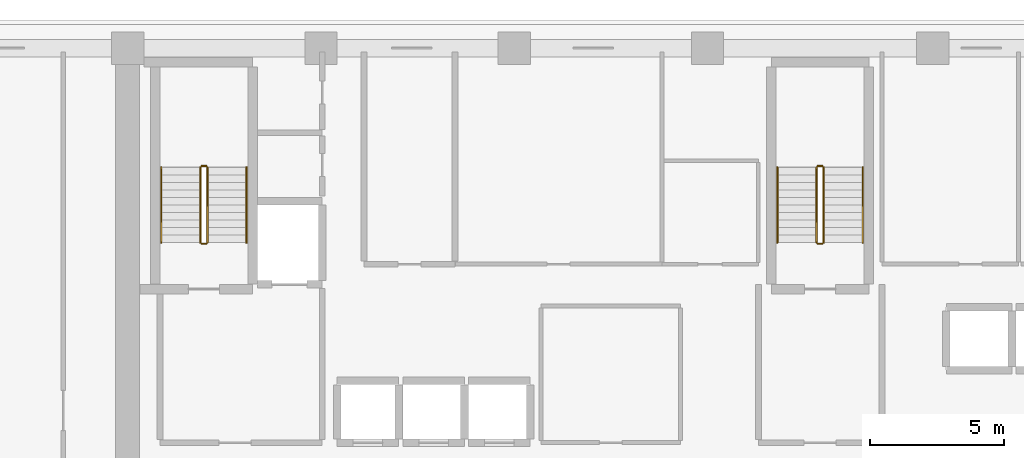
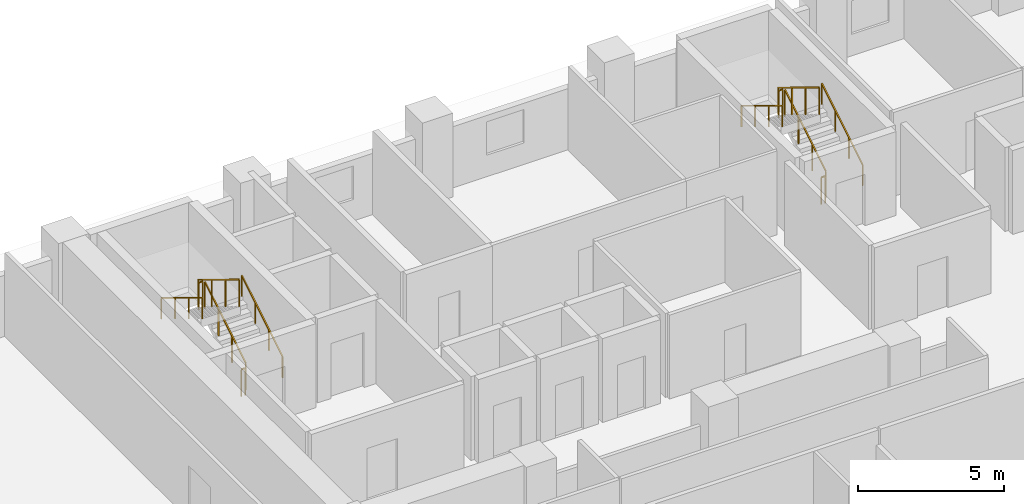
# One storey, part 12 of 14: 12 railings.
"""IFC4 building model written with IfcOpenShell, lengths in metres."""

import ifcopenshell
import ifcopenshell.guid

model = None  # the IFC model being written
_history = None  # IfcOwnerHistory: only IFC2X3 demands one
_inside = {}  # id of a spatial element -> (the spatial element, [elements in it])
_under = {}  # id of a project, library or spatial element -> (it, [spatial elements below it])
_declared = {}  # id of a project -> (the project, [libraries it declares])
_typed = {}  # id of a type object -> (the type object, [elements of that type])
_made_of = {}  # id of a material, layer set ... -> (it, [elements and type objects made of it])


def new_model(schema):
    """Start an empty IFC model of exactly this schema.

    Asked for "IFC4X3", IfcOpenShell would pick the latest addendum, in which some entities
    have other attributes; the version numbers below select the first issue.
    IFC2X3 requires an IfcOwnerHistory on every rooted entity: one is made here for all.
    """
    global model, _history
    if schema == "IFC4X3":
        model = ifcopenshell.file(schema_version=(4, 3, 0, 0))
    else:
        model = ifcopenshell.file(schema=schema)
    _inside.clear()
    _under.clear()
    _declared.clear()
    _typed.clear()
    _made_of.clear()
    _history = None
    if model.schema == "IFC2X3":
        org = make("IfcOrganization", Name="unknown")
        user = make(
            "IfcPersonAndOrganization",
            ThePerson=make("IfcPerson", FamilyName="unknown"),
            TheOrganization=org,
        )
        app = make(
            "IfcApplication",
            ApplicationDeveloper=org,
            Version="unknown",
            ApplicationFullName="unknown",
            ApplicationIdentifier="unknown",
        )
        _history = make(
            "IfcOwnerHistory",
            OwningUser=user,
            OwningApplication=app,
            ChangeAction="ADDED",
            CreationDate=0,
        )
    return model


def make(cls, **values):
    """One entity of the class cls with the attributes given. An attribute that is None is left unset."""
    return model.create_entity(
        cls, **{name: value for name, value in values.items() if value is not None}
    )


def rooted(cls, **values):
    """An entity with a GlobalId (a new one), such as an element, a storey or a relation."""
    return make(cls, GlobalId=ifcopenshell.guid.new(), OwnerHistory=_history, **values)


def si_unit(unit_type, name, prefix=None):
    """IfcSIUnit, for example si_unit("LENGTHUNIT", "METRE", prefix="MILLI")."""
    return make("IfcSIUnit", UnitType=unit_type, Prefix=prefix, Name=name)


def assignment(units):
    """IfcUnitAssignment: the units of a project."""
    return None if units is None else make("IfcUnitAssignment", Units=units)


def point(xyz):
    """IfcCartesianPoint."""
    return None if xyz is None else make("IfcCartesianPoint", Coordinates=xyz)


def direction(xyz):
    """IfcDirection."""
    return None if xyz is None else make("IfcDirection", DirectionRatios=xyz)


def frame(location, z_axis=None, x_axis=None):
    """IfcAxis2Placement3D, a coordinate frame: its origin and axes. An axis left out is left unset."""
    return make(
        "IfcAxis2Placement3D",
        Location=point(location),
        Axis=direction(z_axis),
        RefDirection=direction(x_axis),
    )


def frame_2d(location, x_axis=None):
    """IfcAxis2Placement2D, a coordinate frame in the plane: its origin and x axis."""
    return make(
        "IfcAxis2Placement2D", Location=point(location), RefDirection=direction(x_axis)
    )


def origin():
    """The frame at (0, 0, 0) with its axes left unset."""
    return frame((0.0, 0.0, 0.0))


def origin_2d():
    """The frame at (0, 0) in the plane with its x axis left unset."""
    return frame_2d((0.0, 0.0))


def place(relative_to, where):
    """IfcLocalPlacement: puts the frame where relative to a parent placement (None: the world)."""
    return make(
        "IfcLocalPlacement", PlacementRelTo=relative_to, RelativePlacement=where
    )


def context(
    kind, dimensions, precision=None, world=None, true_north=None, identifier=None
):
    """IfcGeometricRepresentationContext, for example the 3D "Model" context."""
    return make(
        "IfcGeometricRepresentationContext",
        ContextIdentifier=identifier,
        ContextType=kind,
        CoordinateSpaceDimension=dimensions,
        Precision=precision,
        WorldCoordinateSystem=world,
        TrueNorth=true_north,
    )


def subcontext(parent, identifier, kind, view, scale=None):
    """IfcGeometricRepresentationSubContext, for example "Body" below "Model"."""
    return make(
        "IfcGeometricRepresentationSubContext",
        ContextIdentifier=identifier,
        ContextType=kind,
        ParentContext=parent,
        TargetScale=scale,
        TargetView=view,
    )


def project(units=None, contexts=None):
    """IfcProject with its units and contexts."""
    return rooted(
        "IfcProject",
        Name="project",
        RepresentationContexts=contexts,
        UnitsInContext=assignment(units),
    )


def spatial(cls, under=None, at=None, **own):
    """A site, building, storey or space (cls), placed at a placement, below another one or the project."""
    s = rooted(cls, ObjectPlacement=at, **own)
    if under is not None:
        _under.setdefault(under.id(), (under, []))[1].append(s)
    return s


def profile(cls, at=None, kind="AREA", **sizes):
    """A parametric profile (cls). Its sizes go by their IFC names, for example OverallWidth=200.0."""
    return make(cls, ProfileType=kind, Position=at, **sizes)


def rectangle(**sizes):
    """IfcRectangleProfileDef."""
    return profile("IfcRectangleProfileDef", **sizes)


def extrude(swept, where, along, depth):
    """IfcExtrudedAreaSolid: the profile swept, set in the frame where, extruded along a direction by depth."""
    return make(
        "IfcExtrudedAreaSolid",
        SweptArea=swept,
        Position=where,
        ExtrudedDirection=direction(along),
        Depth=depth,
    )


def shape(context_of_items, identifier, shape_type, items):
    """IfcShapeRepresentation: the items that make up one representation, for example the "Body"."""
    return make(
        "IfcShapeRepresentation",
        ContextOfItems=context_of_items,
        RepresentationIdentifier=identifier,
        RepresentationType=shape_type,
        Items=items,
    )


def material(Name=None, Category=None):
    """IfcMaterial."""
    return make("IfcMaterial", Name=Name, Category=Category)


def made_of(thing, what):
    """Note that an element or type object is made of a material, layer set ...; save() writes the relation."""
    if what is not None:
        _made_of.setdefault(what.id(), (what, []))[1].append(thing)
    return thing


def type_object(cls, material=None, **own):
    """A type object (cls), such as IfcWallType, which elements share."""
    return made_of(rooted(cls, **own), material)


def element(
    cls,
    number,
    at=None,
    inside=None,
    cuts=None,
    type_object=None,
    material=None,
    context=None,
    identifier="Body",
    shape_type=None,
    held_by="IfcProductDefinitionShape",
    body=None,
    shapes=None,
    **own,
):
    """One element of the class cls, such as IfcWall. Its Tag is "e" and its number.

    at: its placement. inside: the storey or other place that contains it. cuts: it is an
    opening in that element (IfcRelVoidsElement). A single representation is given by context,
    identifier, shape_type and body (its items); several are given by shapes. held_by: the class
    of the entity that holds the representations. save() writes the other relations.
    """
    e = rooted(cls, Tag="e%d" % number, ObjectPlacement=at, **own)
    if body is not None:
        shapes = [shape(context, identifier, shape_type, body)]
    if shapes is not None:
        e.Representation = make(held_by, Representations=shapes)
    if inside is not None:
        _inside.setdefault(inside.id(), (inside, []))[1].append(e)
    if cuts is not None:
        rooted(
            "IfcRelVoidsElement", RelatingBuildingElement=cuts, RelatedOpeningElement=e
        )
    if type_object is not None:
        _typed.setdefault(type_object.id(), (type_object, []))[1].append(e)
    return made_of(e, material)


def aggregate(whole, parts):
    """IfcRelAggregates: a whole, such as a stair, and the parts it consists of."""
    return rooted("IfcRelAggregates", RelatingObject=whole, RelatedObjects=parts)


def save(model, path):
    """Write the relations noted so far, then the file.

    IfcRelAggregates (storeys below a building ...), IfcRelContainedInSpatialStructure (elements
    in a storey), IfcRelDefinesByType, IfcRelAssociatesMaterial and IfcRelDeclares: one each for
    every whole, place, type object, material and project.
    """
    for whole, parts in _under.values():
        aggregate(whole, parts)
    for where, things in _inside.values():
        rooted(
            "IfcRelContainedInSpatialStructure",
            RelatedElements=things,
            RelatingStructure=where,
        )
    for kind, things in _typed.values():
        rooted("IfcRelDefinesByType", RelatedObjects=things, RelatingType=kind)
    for what, things in _made_of.values():
        rooted("IfcRelAssociatesMaterial", RelatedObjects=things, RelatingMaterial=what)
    for by, libraries in _declared.values():
        rooted("IfcRelDeclares", RelatingContext=by, RelatedDefinitions=libraries)
    model.write(path)


model = new_model("IFC4")

# Units and contexts
model_context = context("Model", 3, precision=1e-05, world=origin(), true_north=direction((0.0, 1.0)))
body_context = subcontext(model_context, "Body", "Model", "MODEL_VIEW")
ifc_project = project(units=[si_unit("LENGTHUNIT", "METRE"), si_unit("AREAUNIT", "SQUARE_METRE"), si_unit("VOLUMEUNIT", "CUBIC_METRE"), si_unit("PLANEANGLEUNIT", "RADIAN"), si_unit("MASSUNIT", "GRAM", prefix="KILO")], contexts=[model_context])

# Site, building, storey
site_placement = place(None, origin())
site = spatial("IfcSite", under=ifc_project, at=site_placement, CompositionType="ELEMENT")
building_placement = place(site_placement, origin())
building = spatial("IfcBuilding", under=site, at=building_placement, Name="Kaelvorn Grand Hotel", CompositionType="ELEMENT")
storey_placement = place(building_placement, frame((0.0, 0.0, 123.050048828125)))
storey = spatial("IfcBuildingStorey", under=building, at=storey_placement, Name="L29", CompositionType="ELEMENT", Elevation=123.050048828125)

# Railings
ifc_material = material(Name="Stainless Steel", Category="steel")
railing_type_1 = type_object("IfcRailingType", Name="RL-HANDRAIL-900", PredefinedType="HANDRAIL", material=ifc_material)
railing_1_placement = place(storey_placement, frame((20.6298828125, 41.760009765625, 0.17041015625)))
element("IfcRailing", 1, at=railing_1_placement, inside=storey, type_object=railing_type_1, Name="L29 ST1 stair handrail 1", PredefinedType="HANDRAIL", context=body_context, shape_type="SweptSolid", body=[
    extrude(rectangle(XDim=0.048095703125, YDim=0.048095703125, at=origin_2d()), frame((0.0, 0.0, 0.8759765625), z_axis=(0.0, 0.854169791009, 0.51999420009), x_axis=(-1.0, 0.0, 0.0)), (0.0, 0.0, 1.0), 3.278076171875),
    extrude(rectangle(XDim=0.0419921875, YDim=0.0419921875, at=origin_2d()), origin(), (0.0, 0.0, 1.0), 0.851806640625),
    extrude(rectangle(XDim=0.0419921875, YDim=0.0419921875, at=origin_2d()), frame((0.0, 0.933349609375, 0.568115234375)), (0.0, 0.0, 1.0), 0.851806640625),
    extrude(rectangle(XDim=0.0419921875, YDim=0.0419921875, at=origin_2d()), frame((0.0, 1.86669921875, 1.136474609375)), (0.0, 0.0, 1.0), 0.851806640625),
    extrude(rectangle(XDim=0.0419921875, YDim=0.0419921875, at=origin_2d()), frame((0.0, 2.800048828125, 1.70458984375)), (0.0, 0.0, 1.0), 0.851806640625),
])
railing_2_placement = place(storey_placement, frame((17.449951171875, 44.56005859375, 2.04541015625)))
element("IfcRailing", 2, at=railing_2_placement, inside=storey, type_object=railing_type_1, Name="L29 ST1 stair handrail 2", PredefinedType="HANDRAIL", context=body_context, shape_type="SweptSolid", body=[
    extrude(rectangle(XDim=0.048095703125, YDim=0.048095703125, at=origin_2d()), frame((0.0, 0.0, 0.8759765625), z_axis=(0.0, -0.854169791009, 0.51999420009), x_axis=(1.0, 0.0, 0.0)), (0.0, 0.0, 1.0), 3.278076171875),
    extrude(rectangle(XDim=0.0419921875, YDim=0.0419921875, at=origin_2d()), origin(), (0.0, 0.0, 1.0), 0.851806640625),
    extrude(rectangle(XDim=0.0419921875, YDim=0.0419921875, at=origin_2d()), frame((0.0, -0.933349609375, 0.568115234375)), (0.0, 0.0, 1.0), 0.851806640625),
    extrude(rectangle(XDim=0.0419921875, YDim=0.0419921875, at=origin_2d()), frame((0.0, -1.86669921875, 1.136474609375)), (0.0, 0.0, 1.0), 0.851806640625),
    extrude(rectangle(XDim=0.0419921875, YDim=0.0419921875, at=origin_2d()), frame((0.0, -2.800048828125, 1.70458984375)), (0.0, 0.0, 1.0), 0.851806640625),
])
railing_3_placement = place(storey_placement, frame((43.590087890625, 41.760009765625, 0.17041015625)))
element("IfcRailing", 3, at=railing_3_placement, inside=storey, type_object=railing_type_1, Name="L29 ST2 stair handrail 1", PredefinedType="HANDRAIL", context=body_context, shape_type="SweptSolid", body=[
    extrude(rectangle(XDim=0.048095703125, YDim=0.048095703125, at=origin_2d()), frame((0.0, 0.0, 0.8759765625), z_axis=(0.0, 0.854169791009, 0.51999420009), x_axis=(-1.0, 0.0, 0.0)), (0.0, 0.0, 1.0), 3.278076171875),
    extrude(rectangle(XDim=0.0419921875, YDim=0.0419921875, at=origin_2d()), origin(), (0.0, 0.0, 1.0), 0.851806640625),
    extrude(rectangle(XDim=0.0419921875, YDim=0.0419921875, at=origin_2d()), frame((0.0, 0.933349609375, 0.568115234375)), (0.0, 0.0, 1.0), 0.851806640625),
    extrude(rectangle(XDim=0.0419921875, YDim=0.0419921875, at=origin_2d()), frame((0.0, 1.86669921875, 1.136474609375)), (0.0, 0.0, 1.0), 0.851806640625),
    extrude(rectangle(XDim=0.0419921875, YDim=0.0419921875, at=origin_2d()), frame((0.0, 2.800048828125, 1.70458984375)), (0.0, 0.0, 1.0), 0.851806640625),
])
railing_4_placement = place(storey_placement, frame((40.409912109375, 44.56005859375, 2.04541015625)))
element("IfcRailing", 4, at=railing_4_placement, inside=storey, type_object=railing_type_1, Name="L29 ST2 stair handrail 2", PredefinedType="HANDRAIL", context=body_context, shape_type="SweptSolid", body=[
    extrude(rectangle(XDim=0.048095703125, YDim=0.048095703125, at=origin_2d()), frame((0.0, 0.0, 0.8759765625), z_axis=(0.0, -0.854169791009, 0.51999420009), x_axis=(1.0, 0.0, 0.0)), (0.0, 0.0, 1.0), 3.278076171875),
    extrude(rectangle(XDim=0.0419921875, YDim=0.0419921875, at=origin_2d()), origin(), (0.0, 0.0, 1.0), 0.851806640625),
    extrude(rectangle(XDim=0.0419921875, YDim=0.0419921875, at=origin_2d()), frame((0.0, -0.933349609375, 0.568115234375)), (0.0, 0.0, 1.0), 0.851806640625),
    extrude(rectangle(XDim=0.0419921875, YDim=0.0419921875, at=origin_2d()), frame((0.0, -1.86669921875, 1.136474609375)), (0.0, 0.0, 1.0), 0.851806640625),
    extrude(rectangle(XDim=0.0419921875, YDim=0.0419921875, at=origin_2d()), frame((0.0, -2.800048828125, 1.70458984375)), (0.0, 0.0, 1.0), 0.851806640625),
])
railing_type_2 = type_object("IfcRailingType", Name="RL-STAIR-GUARD-1150", PredefinedType="BALUSTRADE", material=ifc_material)
railing_5_placement = place(storey_placement, frame((19.169921875, 41.760009765625, 0.17041015625)))
element("IfcRailing", 5, at=railing_5_placement, inside=storey, type_object=railing_type_2, Name="L29 ST1 stair guard 1", PredefinedType="BALUSTRADE", context=body_context, shape_type="SweptSolid", body=[
    extrude(rectangle(XDim=0.048095703125, YDim=0.048095703125, at=origin_2d()), frame((0.0, 0.0, 1.1259765625), z_axis=(0.0, 0.854169791009, 0.51999420009), x_axis=(-1.0, 0.0, 0.0)), (0.0, 0.0, 1.0), 3.278076171875),
    extrude(rectangle(XDim=0.0419921875, YDim=0.0419921875, at=origin_2d()), origin(), (0.0, 0.0, 1.0), 1.101806640625),
    extrude(rectangle(XDim=0.0419921875, YDim=0.0419921875, at=origin_2d()), frame((0.0, 0.933349609375, 0.568115234375)), (0.0, 0.0, 1.0), 1.101806640625),
    extrude(rectangle(XDim=0.0419921875, YDim=0.0419921875, at=origin_2d()), frame((0.0, 1.86669921875, 1.136474609375)), (0.0, 0.0, 1.0), 1.101806640625),
    extrude(rectangle(XDim=0.0419921875, YDim=0.0419921875, at=origin_2d()), frame((0.0, 2.800048828125, 1.70458984375)), (0.0, 0.0, 1.0), 1.101806640625),
])
railing_6_placement = place(storey_placement, frame((19.1201171875, 44.610107421875, 1.875)))
element("IfcRailing", 6, at=railing_6_placement, inside=storey, type_object=railing_type_2, Name="L29 ST1 stair guard 2", PredefinedType="BALUSTRADE", context=body_context, shape_type="SweptSolid", body=[
    extrude(rectangle(XDim=0.048095703125, YDim=0.048095703125, at=origin_2d()), frame((0.0, 0.0, 1.1259765625), z_axis=(-1.0, 0.0, 0.0), x_axis=(0.0, -1.0, 0.0)), (0.0, 0.0, 1.0), 0.16015625),
    extrude(rectangle(XDim=0.0419921875, YDim=0.0419921875, at=origin_2d()), origin(), (0.0, 0.0, 1.0), 1.101806640625),
    extrude(rectangle(XDim=0.0419921875, YDim=0.0419921875, at=origin_2d()), frame((-0.16015625, 0.0, 0.0)), (0.0, 0.0, 1.0), 1.101806640625),
])
railing_7_placement = place(storey_placement, frame((18.909912109375, 44.56005859375, 2.04541015625)))
element("IfcRailing", 7, at=railing_7_placement, inside=storey, type_object=railing_type_2, Name="L29 ST1 stair guard 3", PredefinedType="BALUSTRADE", context=body_context, shape_type="SweptSolid", body=[
    extrude(rectangle(XDim=0.048095703125, YDim=0.048095703125, at=origin_2d()), frame((0.0, 0.0, 1.1259765625), z_axis=(0.0, -0.854169791009, 0.51999420009), x_axis=(1.0, 0.0, 0.0)), (0.0, 0.0, 1.0), 3.278076171875),
    extrude(rectangle(XDim=0.0419921875, YDim=0.0419921875, at=origin_2d()), origin(), (0.0, 0.0, 1.0), 1.101806640625),
    extrude(rectangle(XDim=0.0419921875, YDim=0.0419921875, at=origin_2d()), frame((0.0, -0.933349609375, 0.568115234375)), (0.0, 0.0, 1.0), 1.101806640625),
    extrude(rectangle(XDim=0.0419921875, YDim=0.0419921875, at=origin_2d()), frame((0.0, -1.86669921875, 1.136474609375)), (0.0, 0.0, 1.0), 1.101806640625),
    extrude(rectangle(XDim=0.0419921875, YDim=0.0419921875, at=origin_2d()), frame((0.0, -2.800048828125, 1.70458984375)), (0.0, 0.0, 1.0), 1.101806640625),
])
railing_8_placement = place(storey_placement, frame((19.1201171875, 41.7099609375, 0.0)))
element("IfcRailing", 8, at=railing_8_placement, inside=storey, type_object=railing_type_2, Name="L29 ST1 stair guard 4", PredefinedType="BALUSTRADE", context=body_context, shape_type="SweptSolid", body=[
    extrude(rectangle(XDim=0.048095703125, YDim=0.048095703125, at=origin_2d()), frame((0.0, 0.0, 1.1259765625), z_axis=(-1.0, 0.0, 0.0), x_axis=(0.0, -1.0, 0.0)), (0.0, 0.0, 1.0), 0.16015625),
    extrude(rectangle(XDim=0.0419921875, YDim=0.0419921875, at=origin_2d()), origin(), (0.0, 0.0, 1.0), 1.101806640625),
    extrude(rectangle(XDim=0.0419921875, YDim=0.0419921875, at=origin_2d()), frame((-0.16015625, 0.0, 0.0)), (0.0, 0.0, 1.0), 1.101806640625),
])
railing_9_placement = place(storey_placement, frame((42.1298828125, 41.760009765625, 0.17041015625)))
element("IfcRailing", 9, at=railing_9_placement, inside=storey, type_object=railing_type_2, Name="L29 ST2 stair guard 1", PredefinedType="BALUSTRADE", context=body_context, shape_type="SweptSolid", body=[
    extrude(rectangle(XDim=0.048095703125, YDim=0.048095703125, at=origin_2d()), frame((0.0, 0.0, 1.1259765625), z_axis=(0.0, 0.854169791009, 0.51999420009), x_axis=(-1.0, 0.0, 0.0)), (0.0, 0.0, 1.0), 3.278076171875),
    extrude(rectangle(XDim=0.0419921875, YDim=0.0419921875, at=origin_2d()), origin(), (0.0, 0.0, 1.0), 1.101806640625),
    extrude(rectangle(XDim=0.0419921875, YDim=0.0419921875, at=origin_2d()), frame((0.0, 0.933349609375, 0.568115234375)), (0.0, 0.0, 1.0), 1.101806640625),
    extrude(rectangle(XDim=0.0419921875, YDim=0.0419921875, at=origin_2d()), frame((0.0, 1.86669921875, 1.136474609375)), (0.0, 0.0, 1.0), 1.101806640625),
    extrude(rectangle(XDim=0.0419921875, YDim=0.0419921875, at=origin_2d()), frame((0.0, 2.800048828125, 1.70458984375)), (0.0, 0.0, 1.0), 1.101806640625),
])
railing_10_placement = place(storey_placement, frame((42.080078125, 44.610107421875, 1.875)))
element("IfcRailing", 10, at=railing_10_placement, inside=storey, type_object=railing_type_2, Name="L29 ST2 stair guard 2", PredefinedType="BALUSTRADE", context=body_context, shape_type="SweptSolid", body=[
    extrude(rectangle(XDim=0.048095703125, YDim=0.048095703125, at=origin_2d()), frame((0.0, 0.0, 1.1259765625), z_axis=(-1.0, 0.0, 0.0), x_axis=(0.0, -1.0, 0.0)), (0.0, 0.0, 1.0), 0.16015625),
    extrude(rectangle(XDim=0.0419921875, YDim=0.0419921875, at=origin_2d()), origin(), (0.0, 0.0, 1.0), 1.101806640625),
    extrude(rectangle(XDim=0.0419921875, YDim=0.0419921875, at=origin_2d()), frame((-0.16015625, 0.0, 0.0)), (0.0, 0.0, 1.0), 1.101806640625),
])
railing_11_placement = place(storey_placement, frame((41.8701171875, 44.56005859375, 2.04541015625)))
element("IfcRailing", 11, at=railing_11_placement, inside=storey, type_object=railing_type_2, Name="L29 ST2 stair guard 3", PredefinedType="BALUSTRADE", context=body_context, shape_type="SweptSolid", body=[
    extrude(rectangle(XDim=0.048095703125, YDim=0.048095703125, at=origin_2d()), frame((0.0, 0.0, 1.1259765625), z_axis=(0.0, -0.854169791009, 0.51999420009), x_axis=(1.0, 0.0, 0.0)), (0.0, 0.0, 1.0), 3.278076171875),
    extrude(rectangle(XDim=0.0419921875, YDim=0.0419921875, at=origin_2d()), origin(), (0.0, 0.0, 1.0), 1.101806640625),
    extrude(rectangle(XDim=0.0419921875, YDim=0.0419921875, at=origin_2d()), frame((0.0, -0.933349609375, 0.568115234375)), (0.0, 0.0, 1.0), 1.101806640625),
    extrude(rectangle(XDim=0.0419921875, YDim=0.0419921875, at=origin_2d()), frame((0.0, -1.86669921875, 1.136474609375)), (0.0, 0.0, 1.0), 1.101806640625),
    extrude(rectangle(XDim=0.0419921875, YDim=0.0419921875, at=origin_2d()), frame((0.0, -2.800048828125, 1.70458984375)), (0.0, 0.0, 1.0), 1.101806640625),
])
railing_12_placement = place(storey_placement, frame((42.080078125, 41.7099609375, 0.0)))
element("IfcRailing", 12, at=railing_12_placement, inside=storey, type_object=railing_type_2, Name="L29 ST2 stair guard 4", PredefinedType="BALUSTRADE", context=body_context, shape_type="SweptSolid", body=[
    extrude(rectangle(XDim=0.048095703125, YDim=0.048095703125, at=origin_2d()), frame((0.0, 0.0, 1.1259765625), z_axis=(-1.0, 0.0, 0.0), x_axis=(0.0, -1.0, 0.0)), (0.0, 0.0, 1.0), 0.16015625),
    extrude(rectangle(XDim=0.0419921875, YDim=0.0419921875, at=origin_2d()), origin(), (0.0, 0.0, 1.0), 1.101806640625),
    extrude(rectangle(XDim=0.0419921875, YDim=0.0419921875, at=origin_2d()), frame((-0.16015625, 0.0, 0.0)), (0.0, 0.0, 1.0), 1.101806640625),
])

save(model, "model.ifc")
